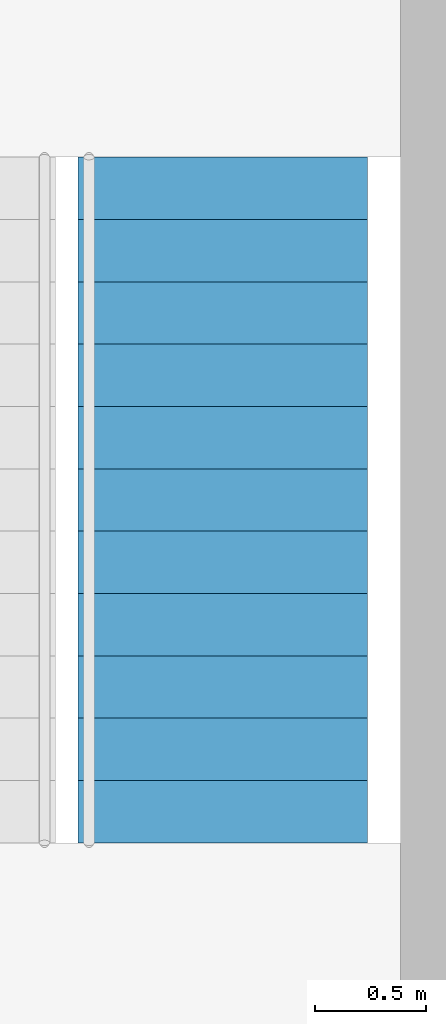
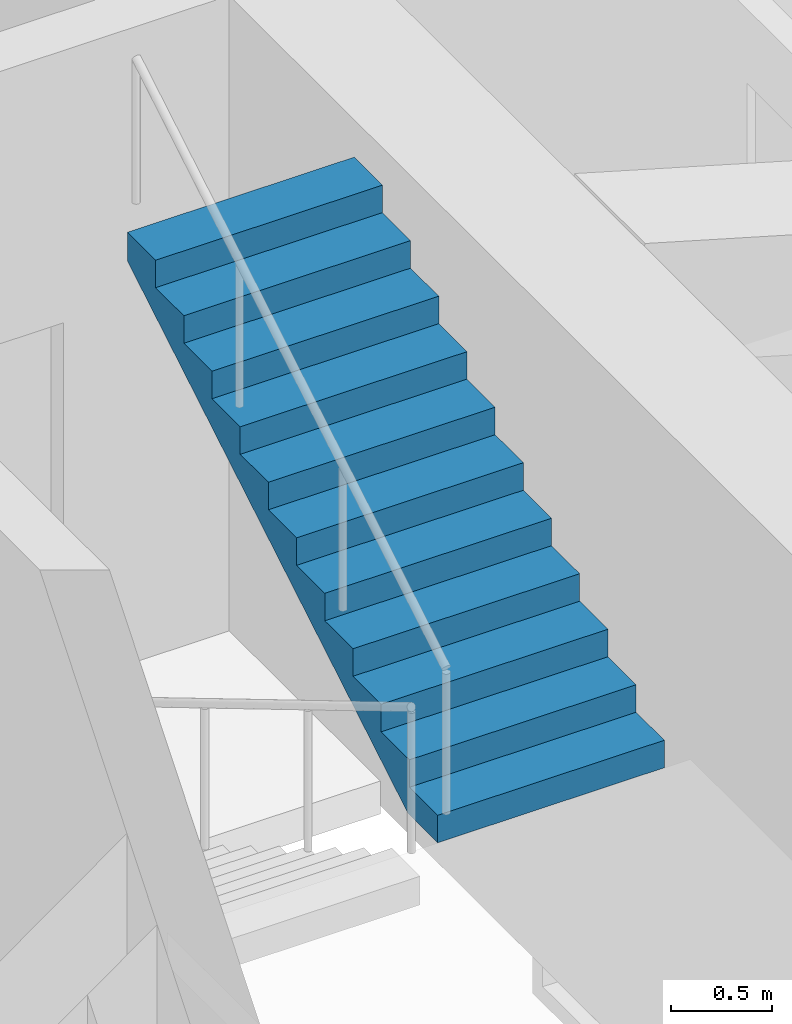
# One storey, part 14 of 17: 1 stair flight, 1 element without a shape of its own.
"""IFC4 building model written with IfcOpenShell, lengths in metres."""

from ifc_helpers import new_model, si_unit, direction, frame, origin, place, context, subcontext, project, spatial, polyline, outline, extrude, material, type_object, element, aggregate, save


model = new_model("IFC4")

# Units and contexts
model_context = context("Model", 3, precision=1e-05, world=origin(), true_north=direction((0.0, 1.0)))
body_context = subcontext(model_context, "Body", "Model", "MODEL_VIEW")
ifc_project = project(units=[si_unit("LENGTHUNIT", "METRE"), si_unit("AREAUNIT", "SQUARE_METRE"), si_unit("VOLUMEUNIT", "CUBIC_METRE"), si_unit("PLANEANGLEUNIT", "RADIAN"), si_unit("MASSUNIT", "GRAM", prefix="KILO")], contexts=[model_context])

# Site, building, storey
site_placement = place(None, origin())
site = spatial("IfcSite", under=ifc_project, at=site_placement, CompositionType="ELEMENT")
building_placement = place(site_placement, origin())
building = spatial("IfcBuilding", under=site, at=building_placement, Name="Rimbunsela Tower", CompositionType="ELEMENT")
storey_placement = place(building_placement, frame((0.0, 0.0, 238.199951171875)))
storey = spatial("IfcBuildingStorey", under=building, at=storey_placement, Name="L57", CompositionType="ELEMENT", Elevation=238.199951171875)

# Stair, stair flight
ifc_material_1 = material(Name="Concrete fc' 35 MPa", Category="concrete")
stair_type = type_object("IfcStairType", Name="Exit stair 24 risers", PredefinedType="HALF_TURN_STAIR", material=ifc_material_1)
stair_placement = place(storey_placement, origin())
stair = element("IfcStair", 1, at=stair_placement, inside=storey, type_object=stair_type, Name="Exit stair B L57", PredefinedType="HALF_TURN_STAIR")
ifc_material_2 = material(Name="Concrete fc' 35 MPa", Category="concrete")
stair_flight_type = type_object("IfcStairFlightType", Name="Stair flight 12 risers 167", PredefinedType="STRAIGHT", material=ifc_material_2)
stair_flight_placement = place(storey_placement, frame((34.60009765625, 21.820068359375, 2.0), z_axis=(0.0, 0.0, 1.0), x_axis=(0.0, 1.0, 0.0)))
stair_flight = element("IfcStairFlight", 2, at=stair_flight_placement, type_object=stair_flight_type, Name="ST-B flight 2", NumberOfRisers=12, NumberOfTreads=11, PredefinedType="STRAIGHT", RiserHeight=0.166666667, TreadLength=0.28, context=body_context, shape_type="SweptSolid", body=[
    extrude(outline(polyline([(0.0, 0.0), (0.0, 0.166748046875), (0.280029296875, 0.166748046875), (0.280029296875, 0.333251953125), (0.56005859375, 0.333251953125), (0.56005859375, 0.5), (0.840087890625, 0.5), (0.840087890625, 0.666748046875), (1.1201171875, 0.666748046875), (1.1201171875, 0.833251953125), (1.39990234375, 0.833251953125), (1.39990234375, 1.0), (1.679931640625, 1.0), (1.679931640625, 1.166748046875), (1.9599609375, 1.166748046875), (1.9599609375, 1.333251953125), (2.239990234375, 1.333251953125), (2.239990234375, 1.5), (2.52001953125, 1.5), (2.52001953125, 1.666748046875), (2.800048828125, 1.666748046875), (2.800048828125, 1.833251953125), (3.080078125, 1.833251953125), (3.080078125, 2.0), (3.080078125, 1.658935546875), (0.29296875, 0.0), (0.0, 0.0)])), frame((0.0, 0.64990234375, 0.0), z_axis=(0.0, -1.0, 0.0), x_axis=(1.0, 0.0, 0.0)), (0.0, 0.0, 1.0), 1.300048828125),
])
aggregate(stair, [stair_flight])

save(model, "model.ifc")
